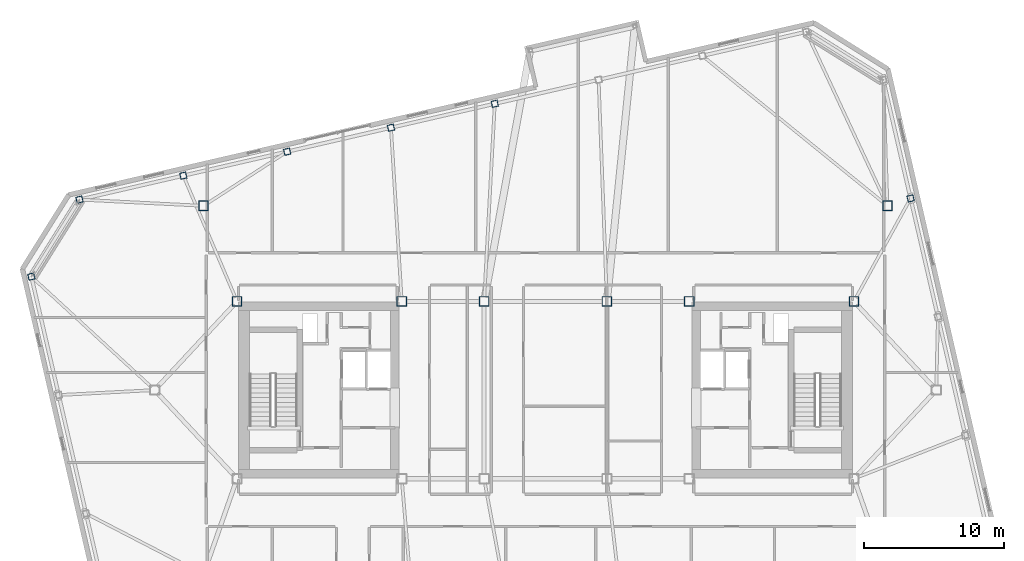
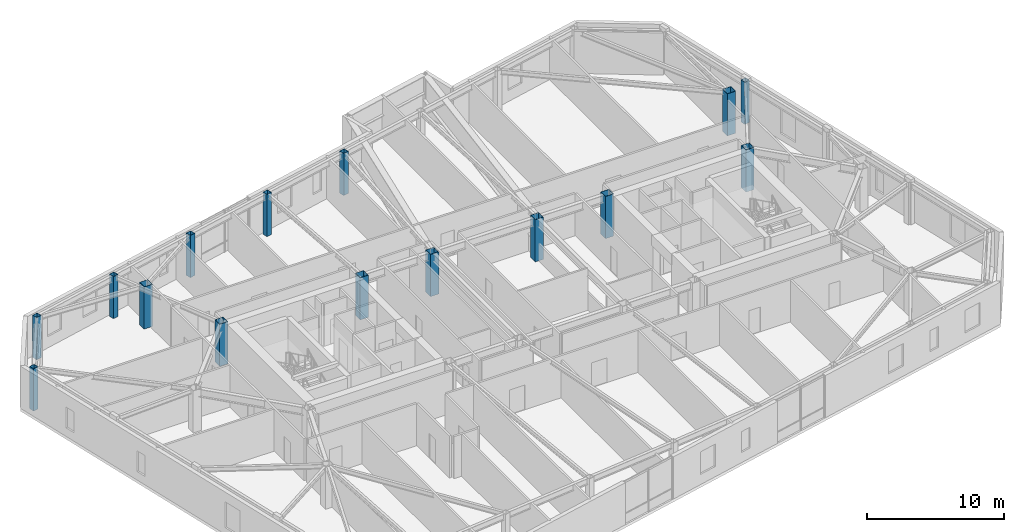
# One storey, part 2 of 22: 15 columns.
"""IFC4 building model written with IfcOpenShell, lengths in metres."""

import ifcopenshell
import ifcopenshell.guid

model = None  # the IFC model being written
_history = None  # IfcOwnerHistory: only IFC2X3 demands one
_inside = {}  # id of a spatial element -> (the spatial element, [elements in it])
_under = {}  # id of a project, library or spatial element -> (it, [spatial elements below it])
_declared = {}  # id of a project -> (the project, [libraries it declares])
_typed = {}  # id of a type object -> (the type object, [elements of that type])
_made_of = {}  # id of a material, layer set ... -> (it, [elements and type objects made of it])


def new_model(schema):
    """Start an empty IFC model of exactly this schema.

    Asked for "IFC4X3", IfcOpenShell would pick the latest addendum, in which some entities
    have other attributes; the version numbers below select the first issue.
    IFC2X3 requires an IfcOwnerHistory on every rooted entity: one is made here for all.
    """
    global model, _history
    if schema == "IFC4X3":
        model = ifcopenshell.file(schema_version=(4, 3, 0, 0))
    else:
        model = ifcopenshell.file(schema=schema)
    _inside.clear()
    _under.clear()
    _declared.clear()
    _typed.clear()
    _made_of.clear()
    _history = None
    if model.schema == "IFC2X3":
        org = make("IfcOrganization", Name="unknown")
        user = make(
            "IfcPersonAndOrganization",
            ThePerson=make("IfcPerson", FamilyName="unknown"),
            TheOrganization=org,
        )
        app = make(
            "IfcApplication",
            ApplicationDeveloper=org,
            Version="unknown",
            ApplicationFullName="unknown",
            ApplicationIdentifier="unknown",
        )
        _history = make(
            "IfcOwnerHistory",
            OwningUser=user,
            OwningApplication=app,
            ChangeAction="ADDED",
            CreationDate=0,
        )
    return model


def make(cls, **values):
    """One entity of the class cls with the attributes given. An attribute that is None is left unset."""
    return model.create_entity(
        cls, **{name: value for name, value in values.items() if value is not None}
    )


def rooted(cls, **values):
    """An entity with a GlobalId (a new one), such as an element, a storey or a relation."""
    return make(cls, GlobalId=ifcopenshell.guid.new(), OwnerHistory=_history, **values)


def si_unit(unit_type, name, prefix=None):
    """IfcSIUnit, for example si_unit("LENGTHUNIT", "METRE", prefix="MILLI")."""
    return make("IfcSIUnit", UnitType=unit_type, Prefix=prefix, Name=name)


def assignment(units):
    """IfcUnitAssignment: the units of a project."""
    return None if units is None else make("IfcUnitAssignment", Units=units)


def point(xyz):
    """IfcCartesianPoint."""
    return None if xyz is None else make("IfcCartesianPoint", Coordinates=xyz)


def direction(xyz):
    """IfcDirection."""
    return None if xyz is None else make("IfcDirection", DirectionRatios=xyz)


def frame(location, z_axis=None, x_axis=None):
    """IfcAxis2Placement3D, a coordinate frame: its origin and axes. An axis left out is left unset."""
    return make(
        "IfcAxis2Placement3D",
        Location=point(location),
        Axis=direction(z_axis),
        RefDirection=direction(x_axis),
    )


def frame_2d(location, x_axis=None):
    """IfcAxis2Placement2D, a coordinate frame in the plane: its origin and x axis."""
    return make(
        "IfcAxis2Placement2D", Location=point(location), RefDirection=direction(x_axis)
    )


def origin():
    """The frame at (0, 0, 0) with its axes left unset."""
    return frame((0.0, 0.0, 0.0))


def origin_2d():
    """The frame at (0, 0) in the plane with its x axis left unset."""
    return frame_2d((0.0, 0.0))


def place(relative_to, where):
    """IfcLocalPlacement: puts the frame where relative to a parent placement (None: the world)."""
    return make(
        "IfcLocalPlacement", PlacementRelTo=relative_to, RelativePlacement=where
    )


def context(
    kind, dimensions, precision=None, world=None, true_north=None, identifier=None
):
    """IfcGeometricRepresentationContext, for example the 3D "Model" context."""
    return make(
        "IfcGeometricRepresentationContext",
        ContextIdentifier=identifier,
        ContextType=kind,
        CoordinateSpaceDimension=dimensions,
        Precision=precision,
        WorldCoordinateSystem=world,
        TrueNorth=true_north,
    )


def subcontext(parent, identifier, kind, view, scale=None):
    """IfcGeometricRepresentationSubContext, for example "Body" below "Model"."""
    return make(
        "IfcGeometricRepresentationSubContext",
        ContextIdentifier=identifier,
        ContextType=kind,
        ParentContext=parent,
        TargetScale=scale,
        TargetView=view,
    )


def project(units=None, contexts=None):
    """IfcProject with its units and contexts."""
    return rooted(
        "IfcProject",
        Name="project",
        RepresentationContexts=contexts,
        UnitsInContext=assignment(units),
    )


def spatial(cls, under=None, at=None, **own):
    """A site, building, storey or space (cls), placed at a placement, below another one or the project."""
    s = rooted(cls, ObjectPlacement=at, **own)
    if under is not None:
        _under.setdefault(under.id(), (under, []))[1].append(s)
    return s


def profile(cls, at=None, kind="AREA", **sizes):
    """A parametric profile (cls). Its sizes go by their IFC names, for example OverallWidth=200.0."""
    return make(cls, ProfileType=kind, Position=at, **sizes)


def hollow_rectangle(**sizes):
    """IfcRectangleHollowProfileDef."""
    return profile("IfcRectangleHollowProfileDef", **sizes)


def extrude(swept, where, along, depth):
    """IfcExtrudedAreaSolid: the profile swept, set in the frame where, extruded along a direction by depth."""
    return make(
        "IfcExtrudedAreaSolid",
        SweptArea=swept,
        Position=where,
        ExtrudedDirection=direction(along),
        Depth=depth,
    )


def shape(context_of_items, identifier, shape_type, items):
    """IfcShapeRepresentation: the items that make up one representation, for example the "Body"."""
    return make(
        "IfcShapeRepresentation",
        ContextOfItems=context_of_items,
        RepresentationIdentifier=identifier,
        RepresentationType=shape_type,
        Items=items,
    )


def material(Name=None, Category=None):
    """IfcMaterial."""
    return make("IfcMaterial", Name=Name, Category=Category)


def material_profile(
    of_material, cross_section, Name=None, Category=None, Priority=None
):
    """IfcMaterialProfile: a cross section and its material."""
    return make(
        "IfcMaterialProfile",
        Name=Name,
        Material=of_material,
        Profile=cross_section,
        Priority=Priority,
        Category=Category,
    )


def profile_set(profiles, Name=None, composite=None):
    """IfcMaterialProfileSet."""
    return make(
        "IfcMaterialProfileSet",
        Name=Name,
        MaterialProfiles=profiles,
        CompositeProfile=composite,
    )


def made_of(thing, what):
    """Note that an element or type object is made of a material, layer set ...; save() writes the relation."""
    if what is not None:
        _made_of.setdefault(what.id(), (what, []))[1].append(thing)
    return thing


def type_object(cls, material=None, **own):
    """A type object (cls), such as IfcWallType, which elements share."""
    return made_of(rooted(cls, **own), material)


def element(
    cls,
    number,
    at=None,
    inside=None,
    cuts=None,
    type_object=None,
    material=None,
    context=None,
    identifier="Body",
    shape_type=None,
    held_by="IfcProductDefinitionShape",
    body=None,
    shapes=None,
    **own,
):
    """One element of the class cls, such as IfcWall. Its Tag is "e" and its number.

    at: its placement. inside: the storey or other place that contains it. cuts: it is an
    opening in that element (IfcRelVoidsElement). A single representation is given by context,
    identifier, shape_type and body (its items); several are given by shapes. held_by: the class
    of the entity that holds the representations. save() writes the other relations.
    """
    e = rooted(cls, Tag="e%d" % number, ObjectPlacement=at, **own)
    if body is not None:
        shapes = [shape(context, identifier, shape_type, body)]
    if shapes is not None:
        e.Representation = make(held_by, Representations=shapes)
    if inside is not None:
        _inside.setdefault(inside.id(), (inside, []))[1].append(e)
    if cuts is not None:
        rooted(
            "IfcRelVoidsElement", RelatingBuildingElement=cuts, RelatedOpeningElement=e
        )
    if type_object is not None:
        _typed.setdefault(type_object.id(), (type_object, []))[1].append(e)
    return made_of(e, material)


def aggregate(whole, parts):
    """IfcRelAggregates: a whole, such as a stair, and the parts it consists of."""
    return rooted("IfcRelAggregates", RelatingObject=whole, RelatedObjects=parts)


def save(model, path):
    """Write the relations noted so far, then the file.

    IfcRelAggregates (storeys below a building ...), IfcRelContainedInSpatialStructure (elements
    in a storey), IfcRelDefinesByType, IfcRelAssociatesMaterial and IfcRelDeclares: one each for
    every whole, place, type object, material and project.
    """
    for whole, parts in _under.values():
        aggregate(whole, parts)
    for where, things in _inside.values():
        rooted(
            "IfcRelContainedInSpatialStructure",
            RelatedElements=things,
            RelatingStructure=where,
        )
    for kind, things in _typed.values():
        rooted("IfcRelDefinesByType", RelatedObjects=things, RelatingType=kind)
    for what, things in _made_of.values():
        rooted("IfcRelAssociatesMaterial", RelatedObjects=things, RelatingMaterial=what)
    for by, libraries in _declared.values():
        rooted("IfcRelDeclares", RelatingContext=by, RelatedDefinitions=libraries)
    model.write(path)


model = new_model("IFC4")

# Units and contexts
model_context = context("Model", 3, precision=1e-05, world=origin(), true_north=direction((0.0, 1.0)))
body_context = subcontext(model_context, "Body", "Model", "MODEL_VIEW")
ifc_project = project(units=[si_unit("LENGTHUNIT", "METRE"), si_unit("AREAUNIT", "SQUARE_METRE"), si_unit("VOLUMEUNIT", "CUBIC_METRE"), si_unit("PLANEANGLEUNIT", "RADIAN"), si_unit("MASSUNIT", "GRAM", prefix="KILO")], contexts=[model_context])

# Site, building, storey
site_placement = place(None, origin())
site = spatial("IfcSite", under=ifc_project, at=site_placement, CompositionType="ELEMENT")
building_placement = place(site_placement, origin())
building = spatial("IfcBuilding", under=site, at=building_placement, Name="Tavrogorsk Clinical Tower", CompositionType="ELEMENT")
storey_placement = place(building_placement, frame((0.0, 0.0, 313.0)))
storey = spatial("IfcBuildingStorey", under=building, at=storey_placement, Name="L73", CompositionType="ELEMENT", Elevation=313.0)

# Columns
ifc_material_1 = material(Name="Structural steel S440", Category="steel")
ifc_material_profile_1 = material_profile(ifc_material_1, hollow_rectangle(XDim=0.699951171875, YDim=0.699951171875, WallThickness=0.031982421875, at=origin_2d()), Name="BOX-700x700x32")
ifc_profile_set_1 = profile_set([ifc_material_profile_1], Name="Structural steel S440")
column_type_1 = type_object("IfcColumnType", Name="MegaCol_BOX700", PredefinedType="COLUMN", material=ifc_profile_set_1)
for number, where, z_axis, x_axis, name in (
    (1, (-22.10009765625, 6.35009765625, 0.0), (0.0, 0.0, 1.0), (1.0, 0.0, 0.0), "L73 Mega Column MC-W2"),
    (2, (-10.300048828125, 6.35009765625, 0.0), (0.0, 0.0, 1.0), (1.0, 0.0, 0.0), "L73 Mega Column MC-W4"),
    (3, (10.300048828125, 6.35009765625, 0.0), (0.0, 0.0, 1.0), (1.0, 0.0, 0.0), "L73 Mega Column MC-E2"),
    (4, (22.10009765625, 6.35009765625, 0.0), (0.0, 0.0, 1.0), (1.0, 0.0, 0.0), "L73 Mega Column MC-E4"),
    (5, (-4.39990234375, 6.35009765625, 0.0), (0.0, 0.0, 1.0), (1.0, 0.0, 0.0), "L73 Mega Column MC-C3"),
    (6, (4.39990234375, 6.35009765625, 0.0), (0.0, 0.0, 1.0), (1.0, 0.0, 0.0), "L73 Mega Column MC-C4"),
    (7, (-24.5, 13.199951171875, 0.0), (0.0, 0.0, 1.0), (1.0, 0.0, 0.0), "L73 Spine Pilotis Column MC-P3"),
    (8, (24.5, 13.199951171875, 0.0), (0.0, 0.0, 1.0), (1.0, 0.0, 0.0), "L73 Spine Pilotis Column MC-P4"),
):
    element("IfcColumn", number, at=place(storey_placement, frame(where, z_axis=z_axis, x_axis=x_axis)), inside=storey, type_object=column_type_1, Name=name, PredefinedType="COLUMN", context=body_context, shape_type="SweptSolid", body=[
        extrude(hollow_rectangle(XDim=0.699951171875, YDim=0.699951171875, WallThickness=0.031982421875, at=origin_2d()), origin(), (0.0, 0.0, 1.0), 3.739990234375),
    ])
ifc_material_2 = material(Name="Structural steel S440", Category="steel")
ifc_material_profile_2 = material_profile(ifc_material_2, hollow_rectangle(XDim=0.449951171875, YDim=0.449951171875, WallThickness=0.02197265625, at=origin_2d()), Name="BOX-450x450x22")
ifc_profile_set_2 = profile_set([ifc_material_profile_2], Name="Structural steel S440")
column_type_2 = type_object("IfcColumnType", Name="PerimCol_B5_BOX450", PredefinedType="COLUMN", material=ifc_profile_set_2)
for number, where, z_axis, x_axis, name in (
    (9, (-3.63427734375, 20.514404296875, 0.0), (0.0, 0.0, 1.0), (0.974370064785, 0.224951054344, 0.0), "L73 Perimeter Column N4"),
    (10, (-11.07275390625, 18.797119140625, 0.0), (0.0, 0.0, 1.0), (0.974370064785, 0.224951054344, 0.0), "L73 Perimeter Column N5"),
    (11, (-18.51123046875, 17.07958984375, 0.0), (0.0, 0.0, 1.0), (0.974370064785, 0.224951054344, 0.0), "L73 Perimeter Column N6"),
    (12, (-25.949951171875, 15.3623046875, 0.0), (0.0, 0.0, 1.0), (0.974370064785, 0.224951054344, 0.0), "L73 Perimeter Column N7"),
    (13, (-33.388671875, 13.64501953125, 0.0), (0.0, 0.0, 1.0), (0.974370064785, 0.224951054344, 0.0), "L73 Perimeter Column N8"),
    (14, (26.157958984375, 13.732177734375, 0.0), (0.0, 0.0, 1.0), (0.974370064785, 0.224951054344, 0.0), "L73 Perimeter Column E4"),
    (15, (-36.8359375, 8.128173828125, 0.0), (0.0, 0.0, 1.0), (0.974370064785, 0.224951054344, 0.0), "L73 Perimeter Column W1"),
):
    element("IfcColumn", number, at=place(storey_placement, frame(where, z_axis=z_axis, x_axis=x_axis)), inside=storey, type_object=column_type_2, Name=name, PredefinedType="COLUMN", context=body_context, shape_type="SweptSolid", body=[
        extrude(hollow_rectangle(XDim=0.449951171875, YDim=0.449951171875, WallThickness=0.02197265625, at=origin_2d()), origin(), (0.0, 0.0, 1.0), 3.739990234375),
    ])

save(model, "model.ifc")
